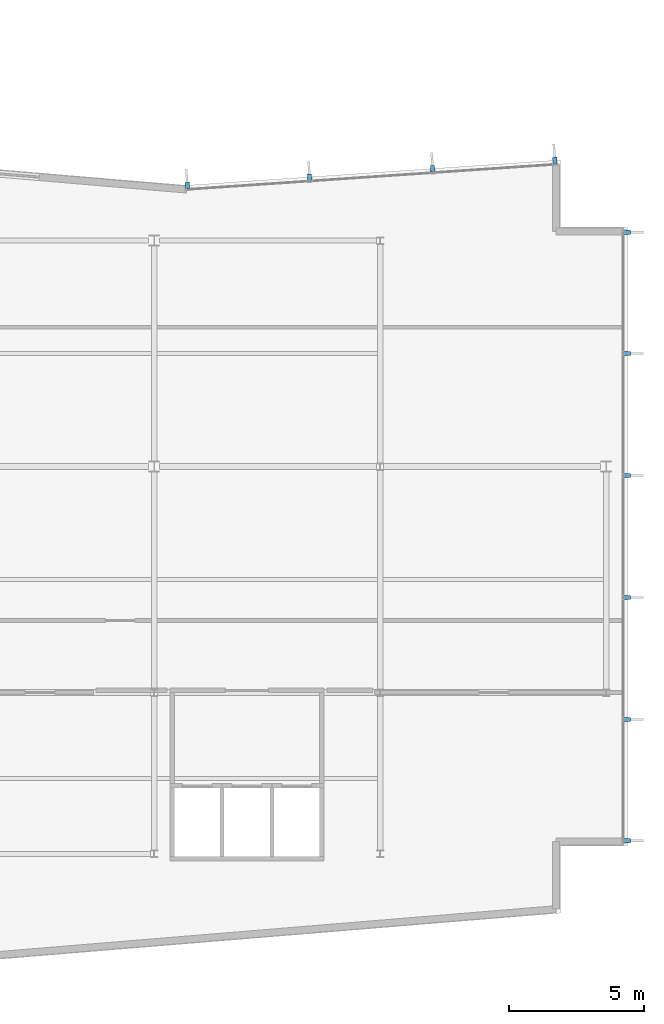
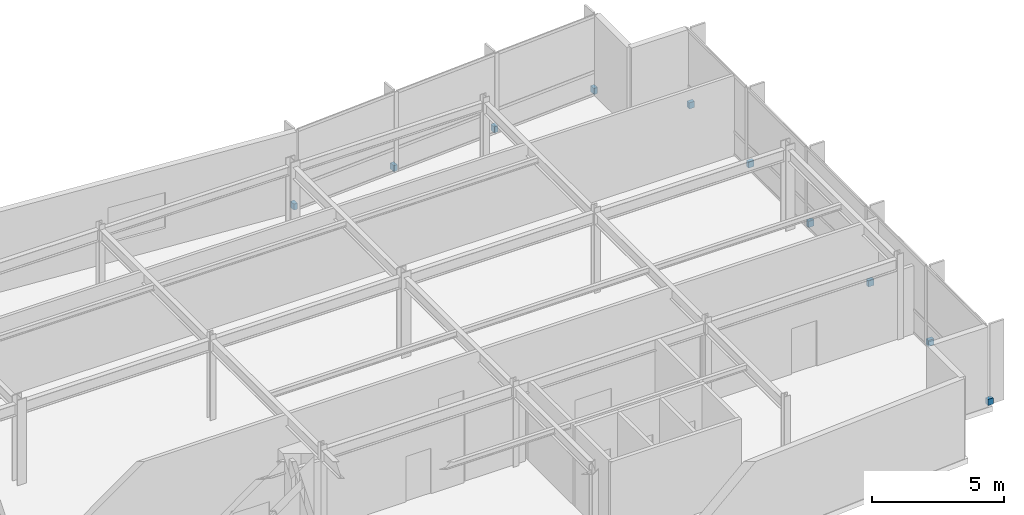
# One storey, part 13 of 16: 10 discrete accessories.
"""IFC4 building model written with IfcOpenShell, lengths in metres."""

from ifc_helpers import new_model, si_unit, direction, frame, origin, origin_2d, place, context, subcontext, project, spatial, rectangle, extrude, material, type_object, element, save


model = new_model("IFC4")

# Units and contexts
model_context = context("Model", 3, precision=1e-05, world=origin(), true_north=direction((0.0, 1.0)))
body_context = subcontext(model_context, "Body", "Model", "MODEL_VIEW")
ifc_project = project(units=[si_unit("LENGTHUNIT", "METRE"), si_unit("AREAUNIT", "SQUARE_METRE"), si_unit("VOLUMEUNIT", "CUBIC_METRE"), si_unit("PLANEANGLEUNIT", "RADIAN"), si_unit("MASSUNIT", "GRAM", prefix="KILO")], contexts=[model_context])

# Site, building, storey
site_placement = place(None, origin())
site = spatial("IfcSite", under=ifc_project, at=site_placement, CompositionType="ELEMENT")
building_placement = place(site_placement, origin())
building = spatial("IfcBuilding", under=site, at=building_placement, Name="Varnakote Quay Hospital", CompositionType="ELEMENT")
storey_placement = place(building_placement, frame((0.0, 0.0, 180.25)))
storey = spatial("IfcBuildingStorey", under=building, at=storey_placement, Name="L44", CompositionType="ELEMENT", Elevation=180.25)

# Discrete accessories
ifc_material = material(Name="Anodised aluminium 6063-T6 Bronze", Category="aluminium")
discrete_accessory_type = type_object("IfcDiscreteAccessoryType", Name="ACC-FIN-BRACKET-180", PredefinedType="BRACKET", material=ifc_material)
for number, where, z_axis, x_axis, name in (
    (1, (51.18994140625, 6.492431640625, 0.0), (0.0, 0.0, 1.0), (0.0, 1.0, 0.0), "L44 Curtain Wall Fin Fixing Bracket"),
    (2, (51.18994140625, 10.99609375, 0.0), (0.0, 0.0, 1.0), (0.0, 1.0, 0.0), "L44 Curtain Wall Fin Fixing Bracket"),
    (3, (51.18994140625, 15.531982421875, 0.0), (0.0, 0.0, 1.0), (0.0, 1.0, 0.0), "L44 Curtain Wall Fin Fixing Bracket"),
    (4, (51.18994140625, 20.068115234375, 0.0), (0.0, 0.0, 1.0), (0.0, 1.0, 0.0), "L44 Curtain Wall Fin Fixing Bracket"),
    (5, (51.18994140625, 24.60400390625, 0.0), (0.0, 0.0, 1.0), (0.0, 1.0, 0.0), "L44 Curtain Wall Fin Fixing Bracket"),
    (6, (51.18994140625, 29.107421875, 0.0), (0.0, 0.0, 1.0), (0.0, 1.0, 0.0), "L44 Curtain Wall Fin Fixing Bracket"),
    (7, (48.497314453125, 31.776123046875, 0.0), (0.0, 0.0, 1.0), (-0.997696134548, -0.067841160875, 0.0), "L44 Curtain Wall Fin Fixing Bracket"),
    (8, (43.95458984375, 31.46728515625, 0.0), (0.0, 0.0, 1.0), (-0.997696134548, -0.067841160875, 0.0), "L44 Curtain Wall Fin Fixing Bracket"),
    (9, (39.379638671875, 31.15625, 0.0), (0.0, 0.0, 1.0), (-0.997696134548, -0.067841160875, 0.0), "L44 Curtain Wall Fin Fixing Bracket"),
    (10, (34.8369140625, 30.847412109375, 0.0), (0.0, 0.0, 1.0), (-0.997696134548, -0.067841160875, 0.0), "L44 Curtain Wall Fin Fixing Bracket"),
):
    element("IfcDiscreteAccessory", number, at=place(storey_placement, frame(where, z_axis=z_axis, x_axis=x_axis)), inside=storey, type_object=discrete_accessory_type, Name=name, PredefinedType="BRACKET", context=body_context, shape_type="SweptSolid", body=[
        extrude(rectangle(XDim=0.159912109375, YDim=0.239990234375, at=origin_2d()), origin(), (0.0, 0.0, 1.0), 0.280029296875),
    ])

save(model, "model.ifc")
